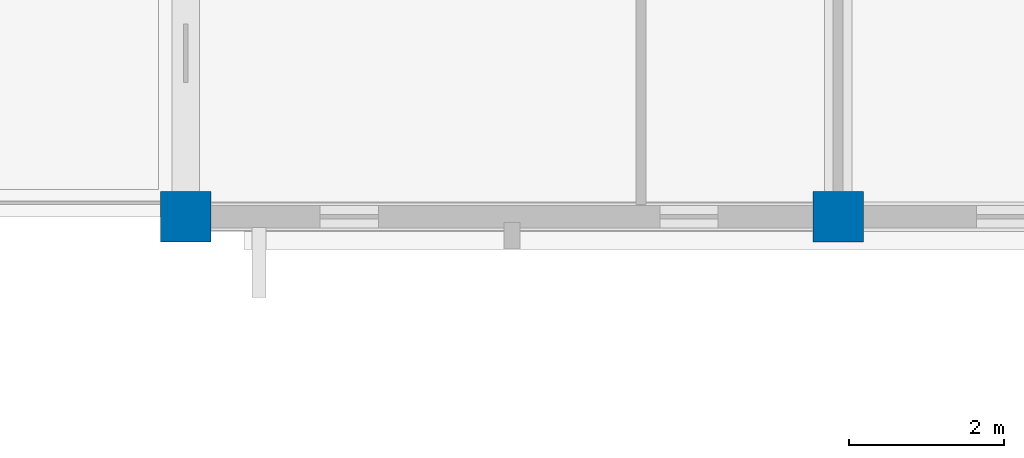
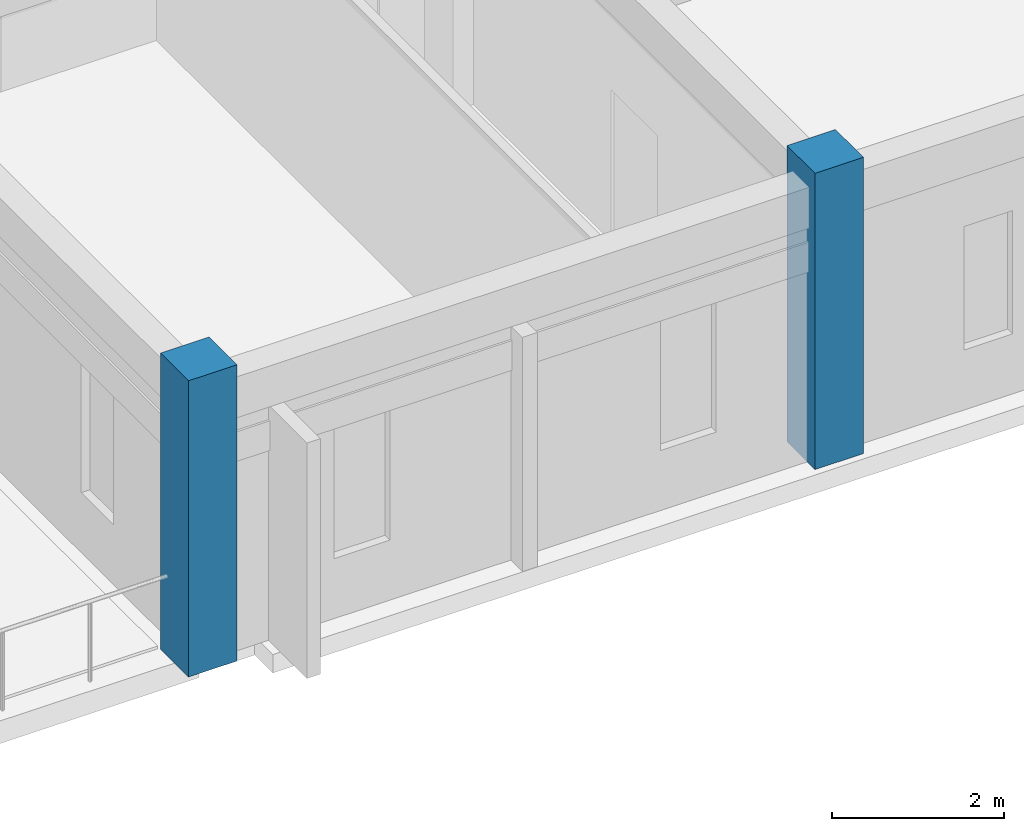
# One storey, part 5 of 90: 2 columns.
"""IFC4 building model written with IfcOpenShell, lengths in metres."""

from ifc_helpers import new_model, si_unit, direction, frame, origin, origin_2d, place, context, subcontext, project, spatial, rectangle, extrude, material, material_profile, profile_set, type_object, element, save


model = new_model("IFC4")

# Units and contexts
model_context = context("Model", 3, precision=1e-05, world=origin(), true_north=direction((0.0, 1.0)))
body_context = subcontext(model_context, "Body", "Model", "MODEL_VIEW")
ifc_project = project(units=[si_unit("LENGTHUNIT", "METRE"), si_unit("AREAUNIT", "SQUARE_METRE"), si_unit("VOLUMEUNIT", "CUBIC_METRE"), si_unit("PLANEANGLEUNIT", "RADIAN"), si_unit("MASSUNIT", "GRAM", prefix="KILO")], contexts=[model_context])

# Site, building, storey
site_placement = place(None, origin())
site = spatial("IfcSite", under=ifc_project, at=site_placement, CompositionType="ELEMENT")
building_placement = place(site_placement, origin())
building = spatial("IfcBuilding", under=site, at=building_placement, Name="Trelvath General Hospital", CompositionType="ELEMENT")
storey_placement = place(building_placement, frame((0.0, 0.0, 20.39990234375)))
storey = spatial("IfcBuildingStorey", under=building, at=storey_placement, Name="L05", CompositionType="ELEMENT", Elevation=20.39990234375)

# Columns
ifc_material = material(Name="Concrete C40/50", Category="concrete")
ifc_material_profile = material_profile(ifc_material, rectangle(XDim=0.64990234375, YDim=0.64990234375, at=origin_2d()), Name="RC650x650")
ifc_profile_set = profile_set([ifc_material_profile], Name="Concrete C40/50")
column_type = type_object("IfcColumnType", Name="Column RC650", PredefinedType="COLUMN", material=ifc_profile_set)
for number, where, z_axis, x_axis, name in (
    (1, (33.60009765625, 92.39990234375, 0.0), (0.0, 0.0, 1.0), (1.0, 0.0, 0.0), "Column C-5L L05"),
    (2, (42.0, 92.39990234375, 0.0), (0.0, 0.0, 1.0), (1.0, 0.0, 0.0), "Column C-6L L05"),
):
    element("IfcColumn", number, at=place(storey_placement, frame(where, z_axis=z_axis, x_axis=x_axis)), inside=storey, type_object=column_type, Name=name, PredefinedType="COLUMN", context=body_context, shape_type="SweptSolid", body=[
        extrude(rectangle(XDim=0.64990234375, YDim=0.64990234375, at=origin_2d()), origin(), (0.0, 0.0, 1.0), 4.2001953125),
    ])

save(model, "model.ifc")
